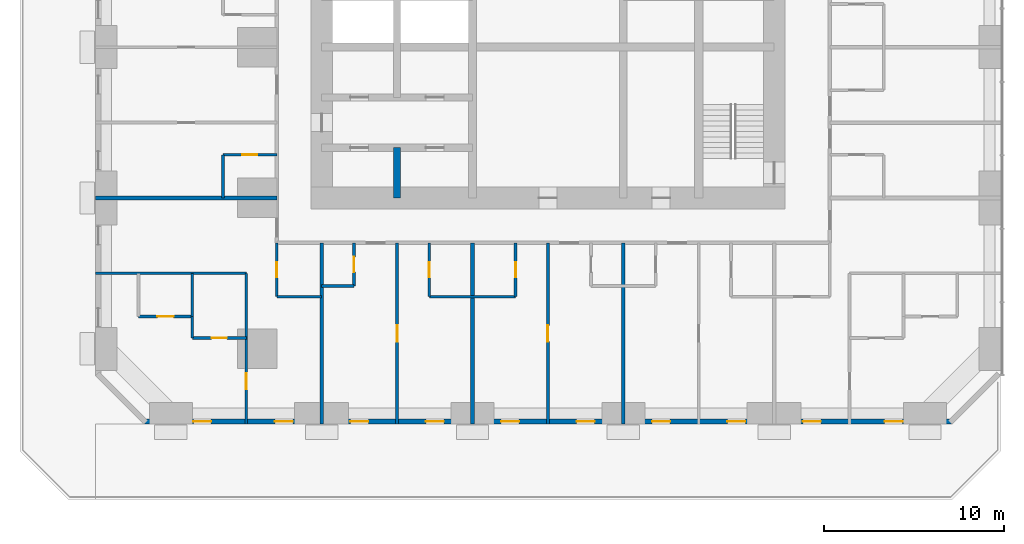
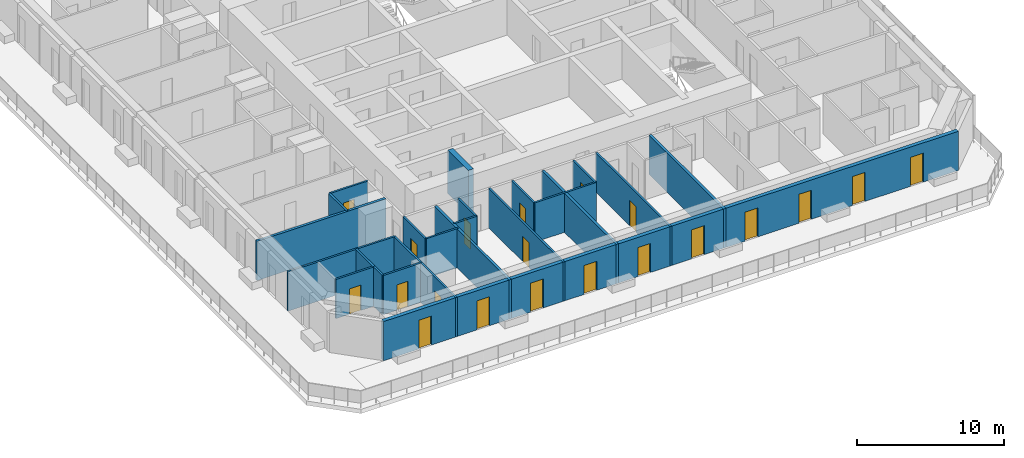
# One storey, part 6 of 14: 23 walls, 20 doors, 20 openings.
"""IFC4 building model written with IfcOpenShell, lengths in metres."""

from ifc_helpers import new_model, si_unit, direction, frame, frame_2d, origin, place, context, subcontext, project, spatial, rectangle, extrude, material, layer, layer_set, type_object, element, fill, save


model = new_model("IFC4")

# Units and contexts
model_context = context("Model", 3, precision=1e-05, world=origin(), true_north=direction((0.0, 1.0)))
body_context = subcontext(model_context, "Body", "Model", "MODEL_VIEW")
ifc_project = project(units=[si_unit("LENGTHUNIT", "METRE"), si_unit("AREAUNIT", "SQUARE_METRE"), si_unit("VOLUMEUNIT", "CUBIC_METRE"), si_unit("PLANEANGLEUNIT", "RADIAN"), si_unit("MASSUNIT", "GRAM", prefix="KILO")], contexts=[model_context])

# Site, building, storey
site_placement = place(None, origin())
site = spatial("IfcSite", under=ifc_project, at=site_placement, CompositionType="ELEMENT")
building_placement = place(site_placement, origin())
building = spatial("IfcBuilding", under=site, at=building_placement, Name="Dunama Terrace Hotel", CompositionType="ELEMENT")
storey_placement = place(building_placement, frame((0.0, 0.0, 159.0)))
storey = spatial("IfcBuildingStorey", under=building, at=storey_placement, Name="L40", CompositionType="ELEMENT", Elevation=159.0)

# Walls
ifc_material_1 = material(Name="Gypsum board partition", Category="masonry")
ifc_layer_1 = layer(ifc_material_1, 0.14990234375)
ifc_layer_set_1 = layer_set([ifc_layer_1], Name="Bathroom partition 150")
wall_type_1 = type_object("IfcWallType", Name="Bathroom partition 150", PredefinedType="PARTITIONING", material=ifc_layer_set_1)
wall_1_placement = place(storey_placement, frame((9.60009765625, 9.0, 0.0), z_axis=(0.0, 0.0, 1.0), x_axis=(0.0, 1.0, 0.0)))
element("IfcWall", 1, at=wall_1_placement, inside=storey, type_object=wall_type_1, Name="Bathroom partition 150 L40", PredefinedType="PARTITIONING", context=body_context, shape_type="SweptSolid", body=[
    extrude(rectangle(XDim=1.199951171875, YDim=0.14990234375, at=frame_2d((0.60009765625, 0.0))), origin(), (0.0, 0.0, 1.0), 3.25),
])
wall_2_placement = place(storey_placement, frame((11.300048828125, 16.800048828125, 0.0), z_axis=(0.0, 0.0, 1.0), x_axis=(0.0, 1.0, 0.0)))
element("IfcWall", 2, at=wall_2_placement, inside=storey, type_object=wall_type_1, Name="Bathroom partition 150 L40", PredefinedType="PARTITIONING", context=body_context, shape_type="SweptSolid", body=[
    extrude(rectangle(XDim=2.39990234375, YDim=0.14990234375, at=frame_2d((1.199951171875, 0.0))), origin(), (0.0, 0.0, 1.0), 3.25),
])

# Wall, opening, door
wall_3_placement = place(storey_placement, frame((14.300048828125, 11.300048828125, 0.0), z_axis=(0.0, 0.0, 1.0), x_axis=(0.0, 1.0, 0.0)))
wall_3 = element("IfcWall", 3, at=wall_3_placement, inside=storey, type_object=wall_type_1, Name="Bathroom partition 150 L40", PredefinedType="PARTITIONING", context=body_context, shape_type="SweptSolid", body=[
    extrude(rectangle(XDim=3.0, YDim=0.14990234375, at=frame_2d((1.5, 0.0))), origin(), (0.0, 0.0, 1.0), 3.25),
])
opening_1_placement = place(wall_3_placement, frame((1.074951171875, 0.0, 0.0)))
opening_1 = element("IfcOpeningElement", 4, at=opening_1_placement, cuts=wall_3, Name="Opening L40-072", PredefinedType="OPENING", context=body_context, shape_type="SweptSolid", body=[
    extrude(rectangle(XDim=0.85009765625, YDim=2.10009765625, at=frame_2d((0.425048828125, 1.050048828125))), frame((0.0, 0.0849609375, 0.0), z_axis=(0.0, -1.0, 0.0), x_axis=(1.0, 0.0, 0.0)), (0.0, 0.0, 1.0), 0.169921875),
])
ifc_material_2 = material(Name="Timber door with steel frame", Category="steel")
door_type_1 = type_object("IfcDoorType", Name="Bathroom door 850", OperationType="SINGLE_SWING_LEFT", PredefinedType="DOOR", material=ifc_material_2)
door_1_placement = place(opening_1_placement, frame((0.85009765625, 0.0, 0.0), z_axis=(0.0, 0.0, 1.0), x_axis=(-1.0, 0.0, 0.0)))
door_1 = element("IfcDoor", 5, at=door_1_placement, inside=storey, type_object=door_type_1, Name="Door to powder room L40-072, type D2", OperationType="SINGLE_SWING_LEFT", OverallHeight=2.10009765625, OverallWidth=0.85009765625, PredefinedType="DOOR", context=body_context, shape_type="SweptSolid", body=[
    extrude(rectangle(XDim=0.85009765625, YDim=2.10009765625, at=frame_2d((0.425048828125, 1.050048828125))), frame((0.0, 0.025146484375, 0.0), z_axis=(0.0, -1.0, 0.0), x_axis=(1.0, 0.0, 0.0)), (0.0, 0.0, 1.0), 0.050048828125),
])
fill(opening_1, door_1)

wall_4_placement = place(storey_placement, frame((18.60009765625, 11.89990234375, 0.0), z_axis=(0.0, 0.0, 1.0), x_axis=(0.0, 1.0, 0.0)))
wall_4 = element("IfcWall", 6, at=wall_4_placement, inside=storey, type_object=wall_type_1, Name="Bathroom partition 150 L40", PredefinedType="PARTITIONING", context=body_context, shape_type="SweptSolid", body=[
    extrude(rectangle(XDim=2.400146484375, YDim=0.14990234375, at=frame_2d((1.2001953125, 0.0))), origin(), (0.0, 0.0, 1.0), 3.25),
])
opening_2_placement = place(wall_4_placement, frame((0.77490234375, 0.0, 0.0)))
opening_2 = element("IfcOpeningElement", 7, at=opening_2_placement, cuts=wall_4, Name="Opening L40-030", PredefinedType="OPENING", context=body_context, shape_type="SweptSolid", body=[
    extrude(rectangle(XDim=0.85009765625, YDim=2.10009765625, at=frame_2d((0.425048828125, 1.050048828125))), frame((0.0, 0.0849609375, 0.0), z_axis=(0.0, -1.0, 0.0), x_axis=(1.0, 0.0, 0.0)), (0.0, 0.0, 1.0), 0.169921875),
])
door_2_placement = place(opening_2_placement, origin())
door_2 = element("IfcDoor", 8, at=door_2_placement, inside=storey, type_object=door_type_1, Name="Door to powder room L40-030, type D2", OperationType="SINGLE_SWING_RIGHT", OverallHeight=2.10009765625, OverallWidth=0.85009765625, PredefinedType="DOOR", context=body_context, shape_type="SweptSolid", body=[
    extrude(rectangle(XDim=0.85009765625, YDim=2.10009765625, at=frame_2d((0.425048828125, 1.050048828125))), frame((0.0, 0.02490234375, 0.0), z_axis=(0.0, -1.0, 0.0), x_axis=(1.0, 0.0, 0.0)), (0.0, 0.0, 1.0), 0.050048828125),
])
fill(opening_2, door_2)

wall_5_placement = place(storey_placement, frame((22.800048828125, 11.300048828125, 0.0), z_axis=(0.0, 0.0, 1.0), x_axis=(0.0, 1.0, 0.0)))
wall_5 = element("IfcWall", 9, at=wall_5_placement, inside=storey, type_object=wall_type_1, Name="Bathroom partition 150 L40", PredefinedType="PARTITIONING", context=body_context, shape_type="SweptSolid", body=[
    extrude(rectangle(XDim=3.0, YDim=0.14990234375, at=frame_2d((1.5, 0.0))), origin(), (0.0, 0.0, 1.0), 3.25),
])
opening_3_placement = place(wall_5_placement, frame((1.074951171875, 0.0, 0.0)))
opening_3 = element("IfcOpeningElement", 10, at=opening_3_placement, cuts=wall_5, Name="Opening L40-032", PredefinedType="OPENING", context=body_context, shape_type="SweptSolid", body=[
    extrude(rectangle(XDim=0.85009765625, YDim=2.10009765625, at=frame_2d((0.425048828125, 1.050048828125))), frame((0.0, 0.0849609375, 0.0), z_axis=(0.0, -1.0, 0.0), x_axis=(1.0, 0.0, 0.0)), (0.0, 0.0, 1.0), 0.169921875),
])
door_3_placement = place(opening_3_placement, frame((0.85009765625, 0.0, 0.0), z_axis=(0.0, 0.0, 1.0), x_axis=(-1.0, 0.0, 0.0)))
door_3 = element("IfcDoor", 11, at=door_3_placement, inside=storey, type_object=door_type_1, Name="Door to en-suite bathroom L40-032, type D2", OperationType="SINGLE_SWING_LEFT", OverallHeight=2.10009765625, OverallWidth=0.85009765625, PredefinedType="DOOR", context=body_context, shape_type="SweptSolid", body=[
    extrude(rectangle(XDim=0.85009765625, YDim=2.10009765625, at=frame_2d((0.425048828125, 1.050048828125))), frame((0.0, 0.025146484375, 0.0), z_axis=(0.0, -1.0, 0.0), x_axis=(1.0, 0.0, 0.0)), (0.0, 0.0, 1.0), 0.050048828125),
])
fill(opening_3, door_3)

wall_6_placement = place(storey_placement, frame((27.60009765625, 11.300048828125, 0.0), z_axis=(0.0, 0.0, 1.0), x_axis=(0.0, 1.0, 0.0)))
wall_6 = element("IfcWall", 12, at=wall_6_placement, inside=storey, type_object=wall_type_1, Name="Bathroom partition 150 L40", PredefinedType="PARTITIONING", context=body_context, shape_type="SweptSolid", body=[
    extrude(rectangle(XDim=3.0, YDim=0.14990234375, at=frame_2d((1.5, 0.0))), origin(), (0.0, 0.0, 1.0), 3.25),
])
opening_4_placement = place(wall_6_placement, frame((1.074951171875, 0.0, 0.0)))
opening_4 = element("IfcOpeningElement", 13, at=opening_4_placement, cuts=wall_6, Name="Opening L40-036", PredefinedType="OPENING", context=body_context, shape_type="SweptSolid", body=[
    extrude(rectangle(XDim=0.85009765625, YDim=2.10009765625, at=frame_2d((0.425048828125, 1.050048828125))), frame((0.0, 0.0849609375, 0.0), z_axis=(0.0, -1.0, 0.0), x_axis=(1.0, 0.0, 0.0)), (0.0, 0.0, 1.0), 0.169921875),
])
door_4_placement = place(opening_4_placement, origin())
door_4 = element("IfcDoor", 14, at=door_4_placement, inside=storey, type_object=door_type_1, Name="Door to en-suite bathroom L40-036, type D2", OperationType="SINGLE_SWING_RIGHT", OverallHeight=2.10009765625, OverallWidth=0.85009765625, PredefinedType="DOOR", context=body_context, shape_type="SweptSolid", body=[
    extrude(rectangle(XDim=0.85009765625, YDim=2.10009765625, at=frame_2d((0.425048828125, 1.050048828125))), frame((0.0, 0.02490234375, 0.0), z_axis=(0.0, -1.0, 0.0), x_axis=(1.0, 0.0, 0.0)), (0.0, 0.0, 1.0), 0.050048828125),
])
fill(opening_4, door_4)

wall_7_placement = place(storey_placement, frame((9.60009765625, 9.0, 0.0), z_axis=(0.0, 0.0, 1.0), x_axis=(1.0, 0.0, 0.0)))
wall_7 = element("IfcWall", 15, at=wall_7_placement, inside=storey, type_object=wall_type_1, Name="Bathroom partition 150 L40", PredefinedType="PARTITIONING", context=body_context, shape_type="SweptSolid", body=[
    extrude(rectangle(XDim=3.0, YDim=0.14990234375, at=frame_2d((1.5, 0.0))), origin(), (0.0, 0.0, 1.0), 3.25),
])
opening_5_placement = place(wall_7_placement, frame((1.074951171875, 0.0, 0.0)))
opening_5 = element("IfcOpeningElement", 16, at=opening_5_placement, cuts=wall_7, Name="Opening L40-074", PredefinedType="OPENING", context=body_context, shape_type="SweptSolid", body=[
    extrude(rectangle(XDim=0.85009765625, YDim=2.10009765625, at=frame_2d((0.425048828125, 1.050048828125))), frame((0.0, 0.0849609375, 0.0), z_axis=(0.0, -1.0, 0.0), x_axis=(1.0, 0.0, 0.0)), (0.0, 0.0, 1.0), 0.169921875),
])
door_5_placement = place(opening_5_placement, origin())
door_5 = element("IfcDoor", 17, at=door_5_placement, inside=storey, type_object=door_type_1, Name="Door to en-suite bathroom L40-074, type D2", OperationType="SINGLE_SWING_RIGHT", OverallHeight=2.10009765625, OverallWidth=0.85009765625, PredefinedType="DOOR", context=body_context, shape_type="SweptSolid", body=[
    extrude(rectangle(XDim=0.85009765625, YDim=2.10009765625, at=frame_2d((0.425048828125, 1.050048828125))), frame((0.0, 0.02490234375, 0.0), z_axis=(0.0, -1.0, 0.0), x_axis=(1.0, 0.0, 0.0)), (0.0, 0.0, 1.0), 0.050048828125),
])
fill(opening_5, door_5)

# Walls
wall_8_placement = place(storey_placement, frame((14.300048828125, 11.300048828125, 0.0), z_axis=(0.0, 0.0, 1.0), x_axis=(1.0, 0.0, 0.0)))
element("IfcWall", 18, at=wall_8_placement, inside=storey, type_object=wall_type_1, Name="Bathroom partition 150 L40", PredefinedType="PARTITIONING", context=body_context, shape_type="SweptSolid", body=[
    extrude(rectangle(XDim=2.5, YDim=0.14990234375, at=frame_2d((1.25, 0.0))), origin(), (0.0, 0.0, 1.0), 3.25),
])
wall_9_placement = place(storey_placement, frame((22.800048828125, 11.300048828125, 0.0), z_axis=(0.0, 0.0, 1.0), x_axis=(1.0, 0.0, 0.0)))
element("IfcWall", 19, at=wall_9_placement, inside=storey, type_object=wall_type_1, Name="Bathroom partition 150 L40", PredefinedType="PARTITIONING", context=body_context, shape_type="SweptSolid", body=[
    extrude(rectangle(XDim=4.800048828125, YDim=0.14990234375, at=frame_2d((2.39990234375, 0.0))), origin(), (0.0, 0.0, 1.0), 3.25),
])
wall_10_placement = place(storey_placement, frame((16.800048828125, 11.89990234375, 0.0), z_axis=(0.0, 0.0, 1.0), x_axis=(1.0, 0.0, 0.0)))
element("IfcWall", 20, at=wall_10_placement, inside=storey, type_object=wall_type_1, Name="Bathroom partition 150 L40", PredefinedType="PARTITIONING", context=body_context, shape_type="SweptSolid", body=[
    extrude(rectangle(XDim=1.800048828125, YDim=0.14990234375, at=frame_2d((0.89990234375, 0.0))), origin(), (0.0, 0.0, 1.0), 3.25),
])

# Wall, opening, door
wall_11_placement = place(storey_placement, frame((11.300048828125, 19.199951171875, 0.0), z_axis=(0.0, 0.0, 1.0), x_axis=(1.0, 0.0, 0.0)))
wall_11 = element("IfcWall", 21, at=wall_11_placement, inside=storey, type_object=wall_type_1, Name="Bathroom partition 150 L40", PredefinedType="PARTITIONING", context=body_context, shape_type="SweptSolid", body=[
    extrude(rectangle(XDim=3.0, YDim=0.14990234375, at=frame_2d((1.5, 0.0))), origin(), (0.0, 0.0, 1.0), 3.25),
])
opening_6_placement = place(wall_11_placement, frame((1.074951171875, 0.0, 0.0)))
opening_6 = element("IfcOpeningElement", 22, at=opening_6_placement, cuts=wall_11, Name="Opening L40-063", PredefinedType="OPENING", context=body_context, shape_type="SweptSolid", body=[
    extrude(rectangle(XDim=0.85009765625, YDim=2.10009765625, at=frame_2d((0.425048828125, 1.050048828125))), frame((0.0, 0.0849609375, 0.0), z_axis=(0.0, -1.0, 0.0), x_axis=(1.0, 0.0, 0.0)), (0.0, 0.0, 1.0), 0.169921875),
])
door_6_placement = place(opening_6_placement, frame((0.85009765625, 0.0, 0.0), z_axis=(0.0, 0.0, 1.0), x_axis=(-1.0, 0.0, 0.0)))
door_6 = element("IfcDoor", 23, at=door_6_placement, inside=storey, type_object=door_type_1, Name="Door to en-suite bathroom L40-063, type D2", OperationType="SINGLE_SWING_RIGHT", OverallHeight=2.10009765625, OverallWidth=0.85009765625, PredefinedType="DOOR", context=body_context, shape_type="SweptSolid", body=[
    extrude(rectangle(XDim=0.85009765625, YDim=2.10009765625, at=frame_2d((0.425048828125, 1.050048828125))), frame((0.0, 0.025146484375, 0.0), z_axis=(0.0, -1.0, 0.0), x_axis=(1.0, 0.0, 0.0)), (0.0, 0.0, 1.0), 0.050048828125),
])
fill(opening_6, door_6)

# Walls
ifc_material_3 = material(Name="Concrete C50/60", Category="concrete")
ifc_layer_2 = layer(ifc_material_3, 0.39990234375)
ifc_layer_set_2 = layer_set([ifc_layer_2], Name="Core inner wall 400")
wall_type_2 = type_object("IfcWallType", Name="Core inner wall 400", PredefinedType="SHEAR", material=ifc_layer_set_2)
wall_12_placement = place(storey_placement, frame((21.0, 16.800048828125, -0.35009765625), z_axis=(0.0, 0.0, 1.0), x_axis=(0.0, 1.0, 0.0)))
element("IfcWall", 24, at=wall_12_placement, inside=storey, type_object=wall_type_2, Name="Core inner wall 400 L40", PredefinedType="SHEAR", context=body_context, shape_type="SweptSolid", body=[
    extrude(rectangle(XDim=2.800048828125, YDim=0.39990234375, at=frame_2d((1.39990234375, 0.0))), origin(), (0.0, 0.0, 1.0), 3.60009765625),
])
ifc_material_4 = material(Name="Concrete blockwork", Category="masonry")
ifc_layer_3 = layer(ifc_material_4, 0.199951171875)
ifc_layer_set_3 = layer_set([ifc_layer_3], Name="Party wall 200")
wall_type_3 = type_object("IfcWallType", Name="Party wall 200", PredefinedType="PARTITIONING", material=ifc_layer_set_3)
for number, where, z_axis, x_axis, name in (
    (25, (16.800048828125, 4.199951171875, 0.0), (0.0, 0.0, 1.0), (0.0, 1.0, 0.0), "Party wall 200 L40"),
    (26, (25.199951171875, 4.199951171875, 0.0), (0.0, 0.0, 1.0), (0.0, 1.0, 0.0), "Party wall 200 L40"),
    (27, (33.60009765625, 4.199951171875, 0.0), (0.0, 0.0, 1.0), (0.0, 1.0, 0.0), "Party wall 200 L40"),
    (28, (4.199951171875, 16.800048828125, 0.0), (0.0, 0.0, 1.0), (1.0, 0.0, 0.0), "Party wall 200 L40"),
):
    element("IfcWall", number, at=place(storey_placement, frame(where, z_axis=z_axis, x_axis=x_axis)), inside=storey, type_object=wall_type_3, Name=name, PredefinedType="PARTITIONING", context=body_context, shape_type="SweptSolid", body=[
        extrude(rectangle(XDim=10.10009765625, YDim=0.199951171875, at=frame_2d((5.050048828125, 0.0))), origin(), (0.0, 0.0, 1.0), 3.25),
    ])
ifc_material_5 = material(Name="Gypsum board partition", Category="masonry")
ifc_layer_4 = layer(ifc_material_5, 0.14990234375)
ifc_layer_set_4 = layer_set([ifc_layer_4], Name="Room partition 150")
wall_type_4 = type_object("IfcWallType", Name="Room partition 150", PredefinedType="PARTITIONING", material=ifc_layer_set_4)
wall_13_placement = place(storey_placement, frame((9.60009765625, 10.199951171875, 0.0), z_axis=(0.0, 0.0, 1.0), x_axis=(0.0, 1.0, 0.0)))
element("IfcWall", 29, at=wall_13_placement, inside=storey, type_object=wall_type_4, Name="Room partition 150 L40", PredefinedType="PARTITIONING", context=body_context, shape_type="SweptSolid", body=[
    extrude(rectangle(XDim=2.400146484375, YDim=0.14990234375, at=frame_2d((1.2001953125, 0.0))), origin(), (0.0, 0.0, 1.0), 3.25),
])

# Wall, opening, door
wall_14_placement = place(storey_placement, frame((12.60009765625, 4.199951171875, 0.0), z_axis=(0.0, 0.0, 1.0), x_axis=(0.0, 1.0, 0.0)))
wall_14 = element("IfcWall", 30, at=wall_14_placement, inside=storey, type_object=wall_type_4, Name="Room partition 150 L40", PredefinedType="PARTITIONING", context=body_context, shape_type="SweptSolid", body=[
    extrude(rectangle(XDim=8.400146484375, YDim=0.14990234375, at=frame_2d((4.2001953125, 0.0))), origin(), (0.0, 0.0, 1.0), 3.25),
])
opening_7_placement = place(wall_14_placement, frame((1.949951171875, 0.0, 0.0)))
opening_7 = element("IfcOpeningElement", 31, at=opening_7_placement, cuts=wall_14, Name="Opening L40-073", PredefinedType="OPENING", context=body_context, shape_type="SweptSolid", body=[
    extrude(rectangle(XDim=0.89990234375, YDim=2.10009765625, at=frame_2d((0.449951171875, 1.050048828125))), frame((0.0, 0.0849609375, 0.0), z_axis=(0.0, -1.0, 0.0), x_axis=(1.0, 0.0, 0.0)), (0.0, 0.0, 1.0), 0.169921875),
])
ifc_material_6 = material(Name="Timber door with steel frame", Category="steel")
door_type_2 = type_object("IfcDoorType", Name="Suite internal door 900", OperationType="SINGLE_SWING_LEFT", PredefinedType="DOOR", material=ifc_material_6)
door_7_placement = place(opening_7_placement, origin())
door_7 = element("IfcDoor", 32, at=door_7_placement, inside=storey, type_object=door_type_2, Name="Door to corner suite bedroom L40-073, type D16", OperationType="SINGLE_SWING_RIGHT", OverallHeight=2.10009765625, OverallWidth=0.89990234375, PredefinedType="DOOR", context=body_context, shape_type="SweptSolid", body=[
    extrude(rectangle(XDim=0.89990234375, YDim=2.10009765625, at=frame_2d((0.449951171875, 1.050048828125))), frame((0.0, 0.02490234375, 0.0), z_axis=(0.0, -1.0, 0.0), x_axis=(1.0, 0.0, 0.0)), (0.0, 0.0, 1.0), 0.050048828125),
])
fill(opening_7, door_7)

wall_15_placement = place(storey_placement, frame((21.0, 4.199951171875, 0.0), z_axis=(0.0, 0.0, 1.0), x_axis=(0.0, 1.0, 0.0)))
wall_15 = element("IfcWall", 33, at=wall_15_placement, inside=storey, type_object=wall_type_4, Name="Room partition 150 L40", PredefinedType="PARTITIONING", context=body_context, shape_type="SweptSolid", body=[
    extrude(rectangle(XDim=10.10009765625, YDim=0.14990234375, at=frame_2d((5.050048828125, 0.0))), origin(), (0.0, 0.0, 1.0), 3.25),
])
opening_8_placement = place(wall_15_placement, frame((4.60009765625, 0.0, 0.0)))
opening_8 = element("IfcOpeningElement", 34, at=opening_8_placement, cuts=wall_15, Name="Opening L40-031", PredefinedType="OPENING", context=body_context, shape_type="SweptSolid", body=[
    extrude(rectangle(XDim=0.89990234375, YDim=2.10009765625, at=frame_2d((0.449951171875, 1.050048828125))), frame((0.0, 0.0849609375, 0.0), z_axis=(0.0, -1.0, 0.0), x_axis=(1.0, 0.0, 0.0)), (0.0, 0.0, 1.0), 0.169921875),
])
door_8_placement = place(opening_8_placement, frame((0.89990234375, 0.0, 0.0), z_axis=(0.0, 0.0, 1.0), x_axis=(-1.0, 0.0, 0.0)))
door_8 = element("IfcDoor", 35, at=door_8_placement, inside=storey, type_object=door_type_2, Name="Door to executive club suite bedroom L40-031, type D16", OperationType="SINGLE_SWING_LEFT", OverallHeight=2.10009765625, OverallWidth=0.89990234375, PredefinedType="DOOR", context=body_context, shape_type="SweptSolid", body=[
    extrude(rectangle(XDim=0.89990234375, YDim=2.10009765625, at=frame_2d((0.449951171875, 1.050048828125))), frame((0.0, 0.025146484375, 0.0), z_axis=(0.0, -1.0, 0.0), x_axis=(1.0, 0.0, 0.0)), (0.0, 0.0, 1.0), 0.050048828125),
])
fill(opening_8, door_8)

wall_16_placement = place(storey_placement, frame((29.39990234375, 4.199951171875, 0.0), z_axis=(0.0, 0.0, 1.0), x_axis=(0.0, 1.0, 0.0)))
wall_16 = element("IfcWall", 36, at=wall_16_placement, inside=storey, type_object=wall_type_4, Name="Room partition 150 L40", PredefinedType="PARTITIONING", context=body_context, shape_type="SweptSolid", body=[
    extrude(rectangle(XDim=10.10009765625, YDim=0.14990234375, at=frame_2d((5.050048828125, 0.0))), origin(), (0.0, 0.0, 1.0), 3.25),
])
opening_9_placement = place(wall_16_placement, frame((4.60009765625, 0.0, 0.0)))
opening_9 = element("IfcOpeningElement", 37, at=opening_9_placement, cuts=wall_16, Name="Opening L40-035", PredefinedType="OPENING", context=body_context, shape_type="SweptSolid", body=[
    extrude(rectangle(XDim=0.89990234375, YDim=2.10009765625, at=frame_2d((0.449951171875, 1.050048828125))), frame((0.0, 0.0849609375, 0.0), z_axis=(0.0, -1.0, 0.0), x_axis=(1.0, 0.0, 0.0)), (0.0, 0.0, 1.0), 0.169921875),
])
door_9_placement = place(opening_9_placement, origin())
door_9 = element("IfcDoor", 38, at=door_9_placement, inside=storey, type_object=door_type_2, Name="Door to executive club suite bedroom L40-035, type D16", OperationType="SINGLE_SWING_RIGHT", OverallHeight=2.10009765625, OverallWidth=0.89990234375, PredefinedType="DOOR", context=body_context, shape_type="SweptSolid", body=[
    extrude(rectangle(XDim=0.89990234375, YDim=2.10009765625, at=frame_2d((0.449951171875, 1.050048828125))), frame((0.0, 0.02490234375, 0.0), z_axis=(0.0, -1.0, 0.0), x_axis=(1.0, 0.0, 0.0)), (0.0, 0.0, 1.0), 0.050048828125),
])
fill(opening_9, door_9)

wall_17_placement = place(storey_placement, frame((6.60009765625, 10.199951171875, 0.0), z_axis=(0.0, 0.0, 1.0), x_axis=(1.0, 0.0, 0.0)))
wall_17 = element("IfcWall", 39, at=wall_17_placement, inside=storey, type_object=wall_type_4, Name="Room partition 150 L40", PredefinedType="PARTITIONING", context=body_context, shape_type="SweptSolid", body=[
    extrude(rectangle(XDim=3.0, YDim=0.14990234375, at=frame_2d((1.5, 0.0))), origin(), (0.0, 0.0, 1.0), 3.25),
])
opening_10_placement = place(wall_17_placement, frame((1.050048828125, 0.0, 0.0)))
opening_10 = element("IfcOpeningElement", 40, at=opening_10_placement, cuts=wall_17, Name="Opening L40-075", PredefinedType="OPENING", context=body_context, shape_type="SweptSolid", body=[
    extrude(rectangle(XDim=0.89990234375, YDim=2.10009765625, at=frame_2d((0.449951171875, 1.050048828125))), frame((0.0, 0.0849609375, 0.0), z_axis=(0.0, -1.0, 0.0), x_axis=(1.0, 0.0, 0.0)), (0.0, 0.0, 1.0), 0.169921875),
])
door_10_placement = place(opening_10_placement, origin())
door_10 = element("IfcDoor", 41, at=door_10_placement, inside=storey, type_object=door_type_2, Name="Door to dressing room L40-075, type D16", OperationType="SINGLE_SWING_LEFT", OverallHeight=2.10009765625, OverallWidth=0.89990234375, PredefinedType="DOOR", context=body_context, shape_type="SweptSolid", body=[
    extrude(rectangle(XDim=0.89990234375, YDim=2.10009765625, at=frame_2d((0.449951171875, 1.050048828125))), frame((0.0, 0.02490234375, 0.0), z_axis=(0.0, -1.0, 0.0), x_axis=(1.0, 0.0, 0.0)), (0.0, 0.0, 1.0), 0.050048828125),
])
fill(opening_10, door_10)

# Wall
wall_18_placement = place(storey_placement, frame((4.199951171875, 12.60009765625, 0.0), z_axis=(0.0, 0.0, 1.0), x_axis=(1.0, 0.0, 0.0)))
element("IfcWall", 42, at=wall_18_placement, inside=storey, type_object=wall_type_4, Name="Room partition 150 L40", PredefinedType="PARTITIONING", context=body_context, shape_type="SweptSolid", body=[
    extrude(rectangle(XDim=8.400146484375, YDim=0.14990234375, at=frame_2d((4.2001953125, 0.0))), origin(), (0.0, 0.0, 1.0), 3.25),
])

# Wall, openings, doors
ifc_material_7 = material(Name="Granite-faced concrete blockwork", Category="masonry")
ifc_layer_5 = layer(ifc_material_7, 0.300048828125)
ifc_layer_set_5 = layer_set([ifc_layer_5], Name="Terrace wall 300")
wall_type_5 = type_object("IfcWallType", Name="Terrace wall 300", PredefinedType="SOLIDWALL", material=ifc_layer_set_5)
wall_19_placement = place(storey_placement, frame((6.89990234375, 4.35009765625, 0.0), z_axis=(0.0, 0.0, 1.0), x_axis=(1.0, 0.0, 0.0)))
wall_19 = element("IfcWall", 43, at=wall_19_placement, inside=storey, type_object=wall_type_5, Name="Terrace wall 300 L40", PredefinedType="SOLIDWALL", context=body_context, shape_type="SweptSolid", body=[
    extrude(rectangle(XDim=45.0, YDim=0.300048828125, at=frame_2d((22.5, 0.0))), origin(), (0.0, 0.0, 1.0), 3.25),
])
opening_11_placement = place(wall_19_placement, frame((2.75, 0.0, 0.0)))
opening_11 = element("IfcOpeningElement", 44, at=opening_11_placement, cuts=wall_19, Name="Opening L40-001", PredefinedType="OPENING", context=body_context, shape_type="SweptSolid", body=[
    extrude(rectangle(XDim=1.0, YDim=2.39990234375, at=frame_2d((0.5, 1.199951171875))), frame((0.0, 0.159912109375, 0.0), z_axis=(0.0, -1.0, 0.0), x_axis=(1.0, 0.0, 0.0)), (0.0, 0.0, 1.0), 0.320068359375),
])
opening_12_placement = place(wall_19_placement, frame((7.300048828125, 0.0, 0.0)))
opening_12 = element("IfcOpeningElement", 45, at=opening_12_placement, cuts=wall_19, Name="Opening L40-002", PredefinedType="OPENING", context=body_context, shape_type="SweptSolid", body=[
    extrude(rectangle(XDim=1.0, YDim=2.39990234375, at=frame_2d((0.5, 1.199951171875))), frame((0.0, 0.159912109375, 0.0), z_axis=(0.0, -1.0, 0.0), x_axis=(1.0, 0.0, 0.0)), (0.0, 0.0, 1.0), 0.320068359375),
])
opening_13_placement = place(wall_19_placement, frame((11.5, 0.0, 0.0)))
opening_13 = element("IfcOpeningElement", 46, at=opening_13_placement, cuts=wall_19, Name="Opening L40-003", PredefinedType="OPENING", context=body_context, shape_type="SweptSolid", body=[
    extrude(rectangle(XDim=1.0, YDim=2.39990234375, at=frame_2d((0.5, 1.199951171875))), frame((0.0, 0.159912109375, 0.0), z_axis=(0.0, -1.0, 0.0), x_axis=(1.0, 0.0, 0.0)), (0.0, 0.0, 1.0), 0.320068359375),
])
opening_14_placement = place(wall_19_placement, frame((15.699951171875, 0.0, 0.0)))
opening_14 = element("IfcOpeningElement", 47, at=opening_14_placement, cuts=wall_19, Name="Opening L40-004", PredefinedType="OPENING", context=body_context, shape_type="SweptSolid", body=[
    extrude(rectangle(XDim=1.0, YDim=2.39990234375, at=frame_2d((0.5, 1.199951171875))), frame((0.0, 0.159912109375, 0.0), z_axis=(0.0, -1.0, 0.0), x_axis=(1.0, 0.0, 0.0)), (0.0, 0.0, 1.0), 0.320068359375),
])
opening_15_placement = place(wall_19_placement, frame((19.89990234375, 0.0, 0.0)))
opening_15 = element("IfcOpeningElement", 48, at=opening_15_placement, cuts=wall_19, Name="Opening L40-005", PredefinedType="OPENING", context=body_context, shape_type="SweptSolid", body=[
    extrude(rectangle(XDim=1.0, YDim=2.39990234375, at=frame_2d((0.5, 1.199951171875))), frame((0.0, 0.159912109375, 0.0), z_axis=(0.0, -1.0, 0.0), x_axis=(1.0, 0.0, 0.0)), (0.0, 0.0, 1.0), 0.320068359375),
])
opening_16_placement = place(wall_19_placement, frame((24.10009765625, 0.0, 0.0)))
opening_16 = element("IfcOpeningElement", 49, at=opening_16_placement, cuts=wall_19, Name="Opening L40-006", PredefinedType="OPENING", context=body_context, shape_type="SweptSolid", body=[
    extrude(rectangle(XDim=1.0, YDim=2.39990234375, at=frame_2d((0.5, 1.199951171875))), frame((0.0, 0.159912109375, 0.0), z_axis=(0.0, -1.0, 0.0), x_axis=(1.0, 0.0, 0.0)), (0.0, 0.0, 1.0), 0.320068359375),
])
opening_17_placement = place(wall_19_placement, frame((28.300048828125, 0.0, 0.0)))
opening_17 = element("IfcOpeningElement", 50, at=opening_17_placement, cuts=wall_19, Name="Opening L40-007", PredefinedType="OPENING", context=body_context, shape_type="SweptSolid", body=[
    extrude(rectangle(XDim=1.0, YDim=2.39990234375, at=frame_2d((0.5, 1.199951171875))), frame((0.0, 0.159912109375, 0.0), z_axis=(0.0, -1.0, 0.0), x_axis=(1.0, 0.0, 0.0)), (0.0, 0.0, 1.0), 0.320068359375),
])
opening_18_placement = place(wall_19_placement, frame((32.5, 0.0, 0.0)))
opening_18 = element("IfcOpeningElement", 51, at=opening_18_placement, cuts=wall_19, Name="Opening L40-008", PredefinedType="OPENING", context=body_context, shape_type="SweptSolid", body=[
    extrude(rectangle(XDim=1.0, YDim=2.39990234375, at=frame_2d((0.5, 1.199951171875))), frame((0.0, 0.159912109375, 0.0), z_axis=(0.0, -1.0, 0.0), x_axis=(1.0, 0.0, 0.0)), (0.0, 0.0, 1.0), 0.320068359375),
])
opening_19_placement = place(wall_19_placement, frame((36.699951171875, 0.0, 0.0)))
opening_19 = element("IfcOpeningElement", 52, at=opening_19_placement, cuts=wall_19, Name="Opening L40-009", PredefinedType="OPENING", context=body_context, shape_type="SweptSolid", body=[
    extrude(rectangle(XDim=1.0, YDim=2.39990234375, at=frame_2d((0.5, 1.199951171875))), frame((0.0, 0.159912109375, 0.0), z_axis=(0.0, -1.0, 0.0), x_axis=(1.0, 0.0, 0.0)), (0.0, 0.0, 1.0), 0.320068359375),
])
opening_20_placement = place(wall_19_placement, frame((41.25, 0.0, 0.0)))
opening_20 = element("IfcOpeningElement", 53, at=opening_20_placement, cuts=wall_19, Name="Opening L40-010", PredefinedType="OPENING", context=body_context, shape_type="SweptSolid", body=[
    extrude(rectangle(XDim=1.0, YDim=2.39990234375, at=frame_2d((0.5, 1.199951171875))), frame((0.0, 0.159912109375, 0.0), z_axis=(0.0, -1.0, 0.0), x_axis=(1.0, 0.0, 0.0)), (0.0, 0.0, 1.0), 0.320068359375),
])
ifc_material_8 = material(Name="Aluminium-framed glazed door", Category="aluminium")
door_type_3 = type_object("IfcDoorType", Name="Terrace door 1000", OperationType="SINGLE_SWING_LEFT", PredefinedType="DOOR", material=ifc_material_8)
door_11_placement = place(opening_11_placement, origin())
door_11 = element("IfcDoor", 54, at=door_11_placement, inside=storey, type_object=door_type_3, Name="Terrace door Corner suite bedroom L40-001, type D12", OperationType="SINGLE_SWING_LEFT", OverallHeight=2.39990234375, OverallWidth=1.0, PredefinedType="DOOR", context=body_context, shape_type="SweptSolid", body=[
    extrude(rectangle(XDim=1.0, YDim=2.39990234375, at=frame_2d((0.5, 1.199951171875))), frame((0.0, 0.02490234375, 0.0), z_axis=(0.0, -1.0, 0.0), x_axis=(1.0, 0.0, 0.0)), (0.0, 0.0, 1.0), 0.050048828125),
])
fill(opening_11, door_11)
door_12_placement = place(opening_12_placement, origin())
door_12 = element("IfcDoor", 55, at=door_12_placement, inside=storey, type_object=door_type_3, Name="Terrace door Corner suite living room L40-002, type D12", OperationType="SINGLE_SWING_RIGHT", OverallHeight=2.39990234375, OverallWidth=1.0, PredefinedType="DOOR", context=body_context, shape_type="SweptSolid", body=[
    extrude(rectangle(XDim=1.0, YDim=2.39990234375, at=frame_2d((0.5, 1.199951171875))), frame((0.0, 0.02490234375, 0.0), z_axis=(0.0, -1.0, 0.0), x_axis=(1.0, 0.0, 0.0)), (0.0, 0.0, 1.0), 0.050048828125),
])
fill(opening_12, door_12)
door_13_placement = place(opening_13_placement, origin())
door_13 = element("IfcDoor", 56, at=door_13_placement, inside=storey, type_object=door_type_3, Name="Terrace door Executive club suite living room L40-003, type D12", OperationType="SINGLE_SWING_LEFT", OverallHeight=2.39990234375, OverallWidth=1.0, PredefinedType="DOOR", context=body_context, shape_type="SweptSolid", body=[
    extrude(rectangle(XDim=1.0, YDim=2.39990234375, at=frame_2d((0.5, 1.199951171875))), frame((0.0, 0.02490234375, 0.0), z_axis=(0.0, -1.0, 0.0), x_axis=(1.0, 0.0, 0.0)), (0.0, 0.0, 1.0), 0.050048828125),
])
fill(opening_13, door_13)
door_14_placement = place(opening_14_placement, origin())
door_14 = element("IfcDoor", 57, at=door_14_placement, inside=storey, type_object=door_type_3, Name="Terrace door Executive club suite bedroom L40-004, type D12", OperationType="SINGLE_SWING_RIGHT", OverallHeight=2.39990234375, OverallWidth=1.0, PredefinedType="DOOR", context=body_context, shape_type="SweptSolid", body=[
    extrude(rectangle(XDim=1.0, YDim=2.39990234375, at=frame_2d((0.5, 1.199951171875))), frame((0.0, 0.02490234375, 0.0), z_axis=(0.0, -1.0, 0.0), x_axis=(1.0, 0.0, 0.0)), (0.0, 0.0, 1.0), 0.050048828125),
])
fill(opening_14, door_14)
door_15_placement = place(opening_15_placement, origin())
door_15 = element("IfcDoor", 58, at=door_15_placement, inside=storey, type_object=door_type_3, Name="Terrace door Executive club suite bedroom L40-005, type D12", OperationType="SINGLE_SWING_LEFT", OverallHeight=2.39990234375, OverallWidth=1.0, PredefinedType="DOOR", context=body_context, shape_type="SweptSolid", body=[
    extrude(rectangle(XDim=1.0, YDim=2.39990234375, at=frame_2d((0.5, 1.199951171875))), frame((0.0, 0.02490234375, 0.0), z_axis=(0.0, -1.0, 0.0), x_axis=(1.0, 0.0, 0.0)), (0.0, 0.0, 1.0), 0.050048828125),
])
fill(opening_15, door_15)
door_16_placement = place(opening_16_placement, origin())
door_16 = element("IfcDoor", 59, at=door_16_placement, inside=storey, type_object=door_type_3, Name="Terrace door Executive club suite living room L40-006, type D12", OperationType="SINGLE_SWING_RIGHT", OverallHeight=2.39990234375, OverallWidth=1.0, PredefinedType="DOOR", context=body_context, shape_type="SweptSolid", body=[
    extrude(rectangle(XDim=1.0, YDim=2.39990234375, at=frame_2d((0.5, 1.199951171875))), frame((0.0, 0.02490234375, 0.0), z_axis=(0.0, -1.0, 0.0), x_axis=(1.0, 0.0, 0.0)), (0.0, 0.0, 1.0), 0.050048828125),
])
fill(opening_16, door_16)
door_17_placement = place(opening_17_placement, origin())
door_17 = element("IfcDoor", 60, at=door_17_placement, inside=storey, type_object=door_type_3, Name="Terrace door Executive club suite living room L40-007, type D12", OperationType="SINGLE_SWING_LEFT", OverallHeight=2.39990234375, OverallWidth=1.0, PredefinedType="DOOR", context=body_context, shape_type="SweptSolid", body=[
    extrude(rectangle(XDim=1.0, YDim=2.39990234375, at=frame_2d((0.5, 1.199951171875))), frame((0.0, 0.02490234375, 0.0), z_axis=(0.0, -1.0, 0.0), x_axis=(1.0, 0.0, 0.0)), (0.0, 0.0, 1.0), 0.050048828125),
])
fill(opening_17, door_17)
door_18_placement = place(opening_18_placement, origin())
door_18 = element("IfcDoor", 61, at=door_18_placement, inside=storey, type_object=door_type_3, Name="Terrace door Executive club suite bedroom L40-008, type D12", OperationType="SINGLE_SWING_RIGHT", OverallHeight=2.39990234375, OverallWidth=1.0, PredefinedType="DOOR", context=body_context, shape_type="SweptSolid", body=[
    extrude(rectangle(XDim=1.0, YDim=2.39990234375, at=frame_2d((0.5, 1.199951171875))), frame((0.0, 0.02490234375, 0.0), z_axis=(0.0, -1.0, 0.0), x_axis=(1.0, 0.0, 0.0)), (0.0, 0.0, 1.0), 0.050048828125),
])
fill(opening_18, door_18)
door_19_placement = place(opening_19_placement, origin())
door_19 = element("IfcDoor", 62, at=door_19_placement, inside=storey, type_object=door_type_3, Name="Terrace door Corner suite living room L40-009, type D12", OperationType="SINGLE_SWING_LEFT", OverallHeight=2.39990234375, OverallWidth=1.0, PredefinedType="DOOR", context=body_context, shape_type="SweptSolid", body=[
    extrude(rectangle(XDim=1.0, YDim=2.39990234375, at=frame_2d((0.5, 1.199951171875))), frame((0.0, 0.02490234375, 0.0), z_axis=(0.0, -1.0, 0.0), x_axis=(1.0, 0.0, 0.0)), (0.0, 0.0, 1.0), 0.050048828125),
])
fill(opening_19, door_19)
door_20_placement = place(opening_20_placement, origin())
door_20 = element("IfcDoor", 63, at=door_20_placement, inside=storey, type_object=door_type_3, Name="Terrace door Corner suite bedroom L40-010, type D12", OperationType="SINGLE_SWING_RIGHT", OverallHeight=2.39990234375, OverallWidth=1.0, PredefinedType="DOOR", context=body_context, shape_type="SweptSolid", body=[
    extrude(rectangle(XDim=1.0, YDim=2.39990234375, at=frame_2d((0.5, 1.199951171875))), frame((0.0, 0.02490234375, 0.0), z_axis=(0.0, -1.0, 0.0), x_axis=(1.0, 0.0, 0.0)), (0.0, 0.0, 1.0), 0.050048828125),
])
fill(opening_20, door_20)

save(model, "model.ifc")
